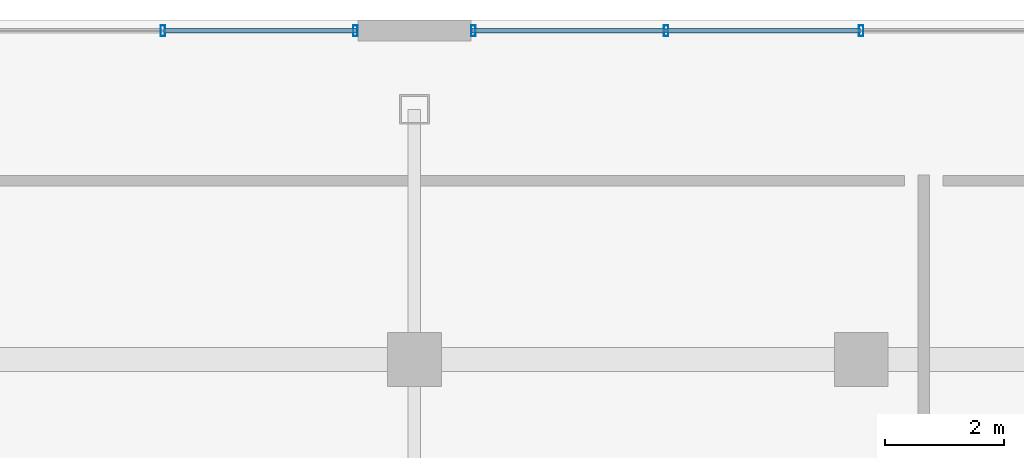
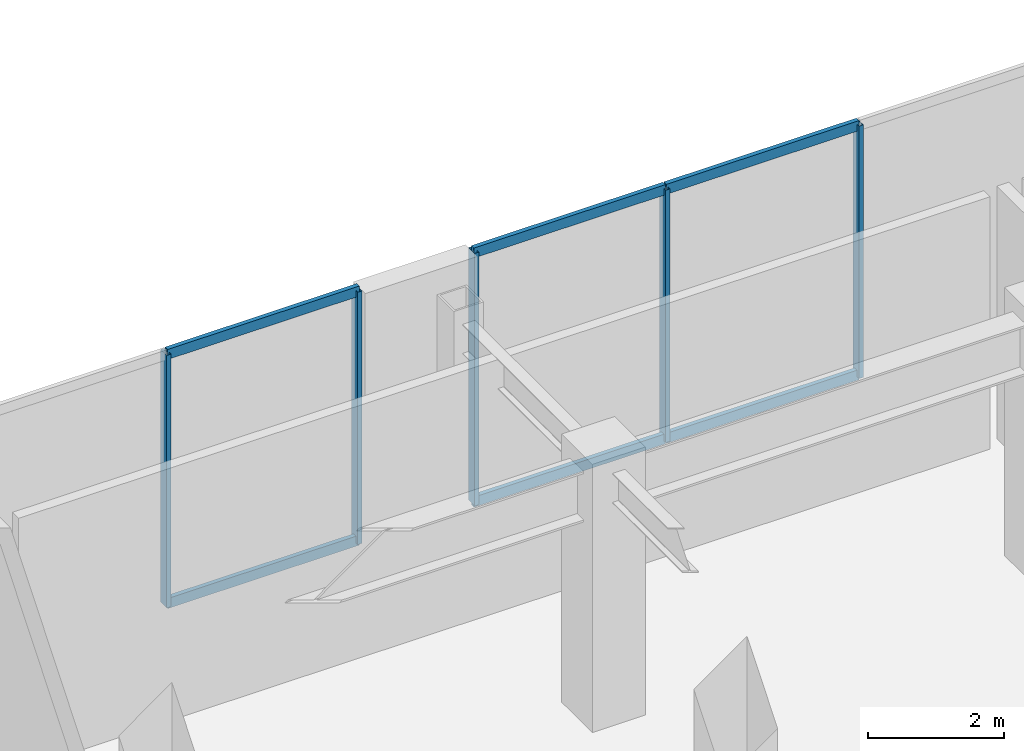
# One storey, part 7 of 16: 11 members, 2 elements without a shape of their own.
"""IFC4 building model written with IfcOpenShell, lengths in metres."""

from ifc_helpers import new_model, si_unit, direction, frame, origin, origin_2d, place, context, subcontext, project, spatial, hollow_rectangle, extrude, material, material_profile, profile_set, type_object, element, aggregate, save


model = new_model("IFC4")

# Units and contexts
model_context = context("Model", 3, precision=1e-05, world=origin(), true_north=direction((0.0, 1.0)))
body_context = subcontext(model_context, "Body", "Model", "MODEL_VIEW")
ifc_project = project(units=[si_unit("LENGTHUNIT", "METRE"), si_unit("AREAUNIT", "SQUARE_METRE"), si_unit("VOLUMEUNIT", "CUBIC_METRE"), si_unit("PLANEANGLEUNIT", "RADIAN"), si_unit("MASSUNIT", "GRAM", prefix="KILO")], contexts=[model_context])

# Site, building, storey
site_placement = place(None, origin())
site = spatial("IfcSite", under=ifc_project, at=site_placement, CompositionType="ELEMENT")
building_placement = place(site_placement, origin())
building = spatial("IfcBuilding", under=site, at=building_placement, Name="Ventersveld Concourse Tower", CompositionType="ELEMENT")
storey_placement = place(building_placement, frame((0.0, 0.0, 10.199951171875)))
storey = spatial("IfcBuildingStorey", under=building, at=storey_placement, Name="L02", CompositionType="ELEMENT", Elevation=10.199951171875)

# Curtain wall, members
ifc_material = material(Name="Anodised aluminium EN AW-6063-T6", Category="aluminium")
curtain_wall_type = type_object("IfcCurtainWallType", Name="CW-POD-2", PredefinedType="NOTDEFINED", material=ifc_material)
curtain_wall_1_placement = place(storey_placement, origin())
curtain_wall_1 = element("IfcCurtainWall", 1, at=curtain_wall_1_placement, inside=storey, type_object=curtain_wall_type, Name="L02 L02 Podium Gallery Curtain Wall 2", PredefinedType="NOTDEFINED")
ifc_material_profile_1 = material_profile(ifc_material, hollow_rectangle(XDim=0.074951171875, YDim=0.179931640625, WallThickness=0.00390625, at=origin_2d()), Name="ALU 180x75x4")
ifc_profile_set_1 = profile_set([ifc_material_profile_1], Name="Anodised aluminium EN AW-6063-T6")
member_type_1 = type_object("IfcMemberType", Name="CWM-180x75", PredefinedType="MULLION", material=ifc_profile_set_1)
member_1_placement = place(storey_placement, frame((24.52490234375, 49.52001953125, 0.0), z_axis=(0.0, 0.0, 1.0), x_axis=(1.0, 0.0, 0.0)))
member_1 = element("IfcMember", 2, at=member_1_placement, type_object=member_type_1, Name="CW-L02-N2 Mullion 04", PredefinedType="MULLION", context=body_context, shape_type="SweptSolid", body=[
    extrude(hollow_rectangle(XDim=0.074951171875, YDim=0.179931640625, WallThickness=0.00390625, at=origin_2d()), origin(), (0.0, 0.0, 1.0), 4.52001953125),
])
member_2_placement = place(storey_placement, frame((27.760009765625, 49.52001953125, 0.0), z_axis=(0.0, 0.0, 1.0), x_axis=(1.0, 0.0, 0.0)))
member_2 = element("IfcMember", 3, at=member_2_placement, type_object=member_type_1, Name="CW-L02-N2 Mullion 05", PredefinedType="MULLION", context=body_context, shape_type="SweptSolid", body=[
    extrude(hollow_rectangle(XDim=0.074951171875, YDim=0.179931640625, WallThickness=0.00390625, at=origin_2d()), origin(), (0.0, 0.0, 1.0), 4.52001953125),
])

curtain_wall_2_placement = place(storey_placement, origin())
curtain_wall_2 = element("IfcCurtainWall", 4, at=curtain_wall_2_placement, inside=storey, type_object=curtain_wall_type, Name="L02 L02 Podium Gallery Curtain Wall 3", PredefinedType="NOTDEFINED")
member_3_placement = place(storey_placement, frame((29.739990234375, 49.52001953125, 0.0), z_axis=(0.0, 0.0, 1.0), x_axis=(1.0, 0.0, 0.0)))
member_3 = element("IfcMember", 5, at=member_3_placement, type_object=member_type_1, Name="CW-L02-N3 Mullion 01", PredefinedType="MULLION", context=body_context, shape_type="SweptSolid", body=[
    extrude(hollow_rectangle(XDim=0.074951171875, YDim=0.179931640625, WallThickness=0.00390625, at=origin_2d()), origin(), (0.0, 0.0, 1.0), 4.52001953125),
])
member_4_placement = place(storey_placement, frame((32.97509765625, 49.52001953125, 0.0), z_axis=(0.0, 0.0, 1.0), x_axis=(1.0, 0.0, 0.0)))
member_4 = element("IfcMember", 6, at=member_4_placement, type_object=member_type_1, Name="CW-L02-N3 Mullion 02", PredefinedType="MULLION", context=body_context, shape_type="SweptSolid", body=[
    extrude(hollow_rectangle(XDim=0.074951171875, YDim=0.179931640625, WallThickness=0.00390625, at=origin_2d()), origin(), (0.0, 0.0, 1.0), 4.52001953125),
])
member_5_placement = place(storey_placement, frame((36.25, 49.52001953125, 0.0), z_axis=(0.0, 0.0, 1.0), x_axis=(1.0, 0.0, 0.0)))
member_5 = element("IfcMember", 7, at=member_5_placement, type_object=member_type_1, Name="CW-L02-N3 Mullion 03", PredefinedType="MULLION", context=body_context, shape_type="SweptSolid", body=[
    extrude(hollow_rectangle(XDim=0.074951171875, YDim=0.179931640625, WallThickness=0.00390625, at=origin_2d()), origin(), (0.0, 0.0, 1.0), 4.52001953125),
])

# Member
ifc_material_profile_2 = material_profile(ifc_material, hollow_rectangle(XDim=0.074951171875, YDim=0.179931640625, WallThickness=0.00390625, at=origin_2d()), Name="ALU 180x75x4")
ifc_profile_set_2 = profile_set([ifc_material_profile_2], Name="Anodised aluminium EN AW-6063-T6")
member_type_2 = type_object("IfcMemberType", Name="CWT-180x75", PredefinedType="USERDEFINED", material=ifc_profile_set_2)
member_6_placement = place(storey_placement, frame((24.534912109375, 49.52001953125, 0.030029296875), z_axis=(1.0, 0.0, 0.0), x_axis=(0.0, 1.0, 0.0)))
member_6 = element("IfcMember", 8, at=member_6_placement, type_object=member_type_2, Name="CW-L02-N2 Transom 1-04", ObjectType="TRANSOM", PredefinedType="USERDEFINED", context=body_context, shape_type="SweptSolid", body=[
    extrude(hollow_rectangle(XDim=0.074951171875, YDim=0.179931640625, WallThickness=0.00390625, at=origin_2d()), origin(), (0.0, 0.0, 1.0), 3.2451171875),
])

member_7_placement = place(storey_placement, frame((24.534912109375, 49.52001953125, 4.489990234375), z_axis=(1.0, 0.0, 0.0), x_axis=(0.0, 1.0, 0.0)))
member_7 = element("IfcMember", 9, at=member_7_placement, type_object=member_type_2, Name="CW-L02-N2 Transom 2-04", ObjectType="TRANSOM", PredefinedType="USERDEFINED", context=body_context, shape_type="SweptSolid", body=[
    extrude(hollow_rectangle(XDim=0.074951171875, YDim=0.179931640625, WallThickness=0.00390625, at=origin_2d()), origin(), (0.0, 0.0, 1.0), 3.2451171875),
])

aggregate(curtain_wall_1, [member_1, member_2, member_6, member_7])

member_8_placement = place(storey_placement, frame((29.719970703125, 49.52001953125, 0.030029296875), z_axis=(1.0, 0.0, 0.0), x_axis=(0.0, 1.0, 0.0)))
member_8 = element("IfcMember", 10, at=member_8_placement, type_object=member_type_2, Name="CW-L02-N3 Transom 1-01", ObjectType="TRANSOM", PredefinedType="USERDEFINED", context=body_context, shape_type="SweptSolid", body=[
    extrude(hollow_rectangle(XDim=0.074951171875, YDim=0.179931640625, WallThickness=0.00390625, at=origin_2d()), origin(), (0.0, 0.0, 1.0), 3.2451171875),
])

member_9_placement = place(storey_placement, frame((32.985107421875, 49.52001953125, 0.030029296875), z_axis=(1.0, 0.0, 0.0), x_axis=(0.0, 1.0, 0.0)))
member_9 = element("IfcMember", 11, at=member_9_placement, type_object=member_type_2, Name="CW-L02-N3 Transom 1-02", ObjectType="TRANSOM", PredefinedType="USERDEFINED", context=body_context, shape_type="SweptSolid", body=[
    extrude(hollow_rectangle(XDim=0.074951171875, YDim=0.179931640625, WallThickness=0.00390625, at=origin_2d()), origin(), (0.0, 0.0, 1.0), 3.2548828125),
])

member_10_placement = place(storey_placement, frame((29.719970703125, 49.52001953125, 4.489990234375), z_axis=(1.0, 0.0, 0.0), x_axis=(0.0, 1.0, 0.0)))
member_10 = element("IfcMember", 12, at=member_10_placement, type_object=member_type_2, Name="CW-L02-N3 Transom 2-01", ObjectType="TRANSOM", PredefinedType="USERDEFINED", context=body_context, shape_type="SweptSolid", body=[
    extrude(hollow_rectangle(XDim=0.074951171875, YDim=0.179931640625, WallThickness=0.00390625, at=origin_2d()), origin(), (0.0, 0.0, 1.0), 3.2451171875),
])

member_11_placement = place(storey_placement, frame((32.985107421875, 49.52001953125, 4.489990234375), z_axis=(1.0, 0.0, 0.0), x_axis=(0.0, 1.0, 0.0)))
member_11 = element("IfcMember", 13, at=member_11_placement, type_object=member_type_2, Name="CW-L02-N3 Transom 2-02", ObjectType="TRANSOM", PredefinedType="USERDEFINED", context=body_context, shape_type="SweptSolid", body=[
    extrude(hollow_rectangle(XDim=0.074951171875, YDim=0.179931640625, WallThickness=0.00390625, at=origin_2d()), origin(), (0.0, 0.0, 1.0), 3.2548828125),
])

aggregate(curtain_wall_2, [member_3, member_4, member_5, member_8, member_9, member_10, member_11])

save(model, "model.ifc")
